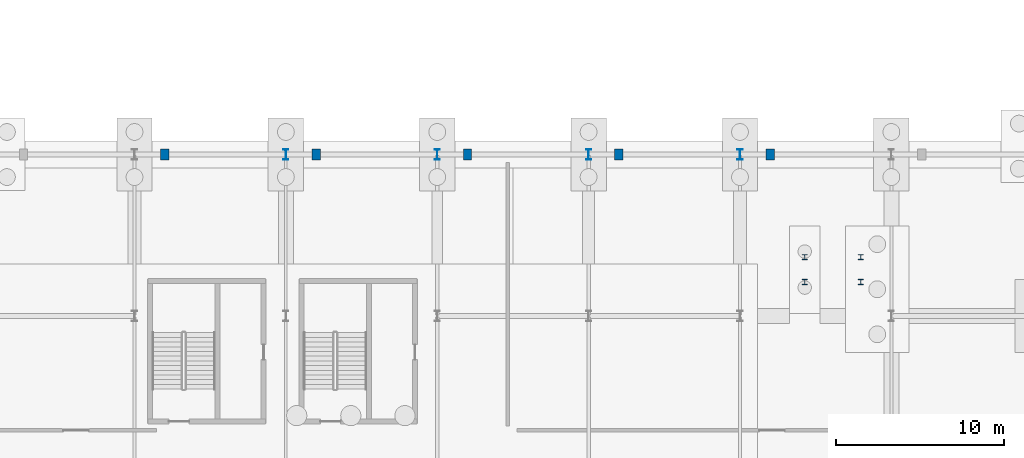
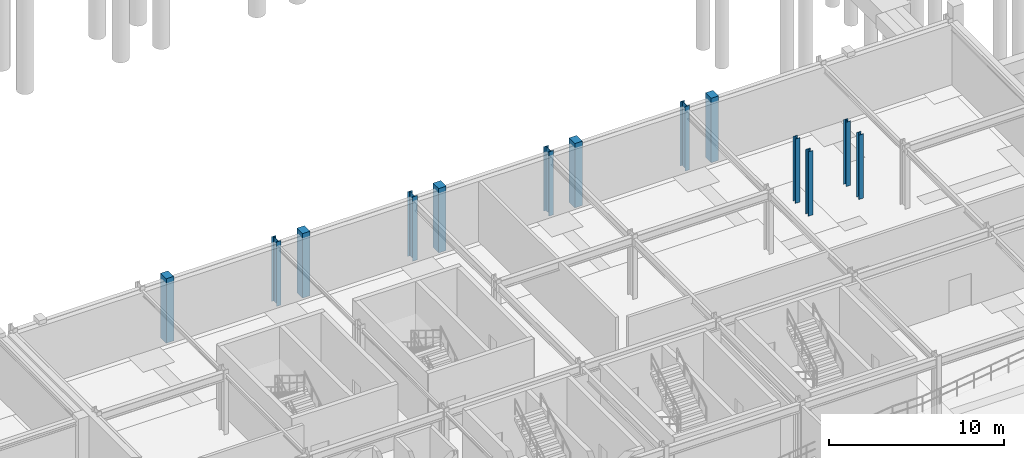
# One storey, part 24 of 59: 13 columns.
"""IFC4 building model written with IfcOpenShell, lengths in metres."""

from ifc_helpers import new_model, si_unit, direction, frame, origin, origin_2d, place, context, subcontext, project, spatial, rectangle, i_section, extrude, material, material_profile, profile_set, type_object, element, save


model = new_model("IFC4")

# Units and contexts
model_context = context("Model", 3, precision=1e-05, world=origin(), true_north=direction((0.0, 1.0)))
body_context = subcontext(model_context, "Body", "Model", "MODEL_VIEW")
ifc_project = project(units=[si_unit("LENGTHUNIT", "METRE"), si_unit("AREAUNIT", "SQUARE_METRE"), si_unit("VOLUMEUNIT", "CUBIC_METRE"), si_unit("PLANEANGLEUNIT", "RADIAN"), si_unit("MASSUNIT", "GRAM", prefix="KILO")], contexts=[model_context])

# Site, building, storey
site_placement = place(None, origin())
site = spatial("IfcSite", under=ifc_project, at=site_placement, CompositionType="ELEMENT")
building_placement = place(site_placement, origin())
building = spatial("IfcBuilding", under=site, at=building_placement, Name="Myrtia Square Station", CompositionType="ELEMENT")
storey_placement = place(building_placement, frame((0.0, 0.0, -4.5)))
storey = spatial("IfcBuildingStorey", under=building, at=storey_placement, Name="B01", CompositionType="ELEMENT", Elevation=-4.5)

# Columns
ifc_material_1 = material(Name="Steel S355", Category="steel")
ifc_material_profile_1 = material_profile(ifc_material_1, i_section(OverallWidth=0.300048828125, OverallDepth=0.300048828125, WebThickness=0.010986328125, FlangeThickness=0.01904296875, FilletRadius=0.027099609375, at=origin_2d()), Name="HEB 300")
ifc_profile_set_1 = profile_set([ifc_material_profile_1], Name="Steel S355")
column_type_1 = type_object("IfcColumnType", Name="COL-HEB300", PredefinedType="COLUMN", material=ifc_profile_set_1)
for number, where, z_axis, x_axis, name in (
    (1, (165.85009765625, 32.300048828125, 0.0), (0.0, 0.0, 1.0), (1.0, 0.0, 0.0), "Interchange stair substructure post 7-WN"),
    (2, (165.85009765625, 30.820068359375, 0.0), (0.0, 0.0, 1.0), (1.0, 0.0, 0.0), "Interchange stair substructure post 7-WS"),
    (3, (169.18994140625, 32.300048828125, 0.0), (0.0, 0.0, 1.0), (1.0, 0.0, 0.0), "Interchange stair substructure post 7-EN"),
    (4, (169.18994140625, 30.820068359375, 0.0), (0.0, 0.0, 1.0), (1.0, 0.0, 0.0), "Interchange stair substructure post 7-ES"),
):
    element("IfcColumn", number, at=place(storey_placement, frame(where, z_axis=z_axis, x_axis=x_axis)), inside=storey, type_object=column_type_1, Name=name, PredefinedType="COLUMN", context=body_context, shape_type="SweptSolid", body=[
        extrude(i_section(OverallWidth=0.300048828125, OverallDepth=0.300048828125, WebThickness=0.010986328125, FlangeThickness=0.01904296875, FilletRadius=0.027099609375, at=origin_2d()), origin(), (0.0, 0.0, 1.0), 4.5),
    ])
ifc_material_profile_2 = material_profile(ifc_material_1, i_section(OverallWidth=0.300048828125, OverallDepth=0.60009765625, WebThickness=0.015380859375, FlangeThickness=0.030029296875, FilletRadius=0.027099609375, at=origin_2d()), Name="HEB 600")
ifc_profile_set_2 = profile_set([ifc_material_profile_2], Name="Steel S355")
column_type_2 = type_object("IfcColumnType", Name="COL-HEB600", PredefinedType="COLUMN", material=ifc_profile_set_2)
for number, where, z_axis, x_axis, name in (
    (5, (135.0, 38.39990234375, 0.0), (0.0, 0.0, 1.0), (1.0, 0.0, 0.0), "Column B01-0629"),
    (6, (144.0, 38.39990234375, 0.0), (0.0, 0.0, 1.0), (1.0, 0.0, 0.0), "Column B01-0654"),
    (7, (153.0, 38.39990234375, 0.0), (0.0, 0.0, 1.0), (1.0, 0.0, 0.0), "Column B01-0675"),
    (8, (162.0, 38.39990234375, 0.0), (0.0, 0.0, 1.0), (1.0, 0.0, 0.0), "Column B01-0695"),
):
    element("IfcColumn", number, at=place(storey_placement, frame(where, z_axis=z_axis, x_axis=x_axis)), inside=storey, type_object=column_type_2, Name=name, PredefinedType="COLUMN", context=body_context, shape_type="SweptSolid", body=[
        extrude(i_section(OverallWidth=0.300048828125, OverallDepth=0.60009765625, WebThickness=0.015380859375, FlangeThickness=0.030029296875, FilletRadius=0.027099609375, at=origin_2d()), origin(), (0.0, 0.0, 1.0), 4.5),
    ])
ifc_material_2 = material(Name="Concrete C40/50", Category="concrete")
ifc_material_profile_3 = material_profile(ifc_material_2, rectangle(XDim=0.5, YDim=0.64990234375, at=origin_2d()), Name="PIL 500x650")
ifc_profile_set_3 = profile_set([ifc_material_profile_3], Name="Concrete C40/50")
column_type_3 = type_object("IfcColumnType", Name="PIL-RC500x650", PredefinedType="PILASTER", material=ifc_profile_set_3)
for number, where, z_axis, x_axis, name in (
    (9, (127.800048828125, 38.39990234375, 0.0), (0.0, 0.0, 1.0), (1.0, 0.0, 0.0), "Portales arcade pilaster B01-07"),
    (10, (136.800048828125, 38.39990234375, 0.0), (0.0, 0.0, 1.0), (1.0, 0.0, 0.0), "Portales arcade pilaster B01-08"),
    (11, (145.800048828125, 38.39990234375, 0.0), (0.0, 0.0, 1.0), (1.0, 0.0, 0.0), "Portales arcade pilaster B01-09"),
    (12, (154.800048828125, 38.39990234375, 0.0), (0.0, 0.0, 1.0), (1.0, 0.0, 0.0), "Portales arcade pilaster B01-10"),
    (13, (163.800048828125, 38.39990234375, 0.0), (0.0, 0.0, 1.0), (1.0, 0.0, 0.0), "Portales arcade pilaster B01-11"),
):
    element("IfcColumn", number, at=place(storey_placement, frame(where, z_axis=z_axis, x_axis=x_axis)), inside=storey, type_object=column_type_3, Name=name, PredefinedType="PILASTER", context=body_context, shape_type="SweptSolid", body=[
        extrude(rectangle(XDim=0.5, YDim=0.64990234375, at=origin_2d()), origin(), (0.0, 0.0, 1.0), 4.5),
    ])

save(model, "model.ifc")
